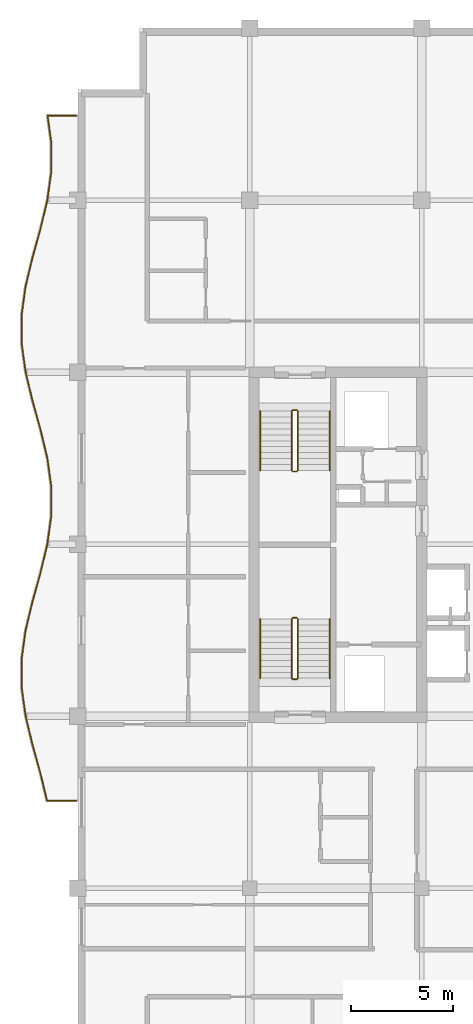
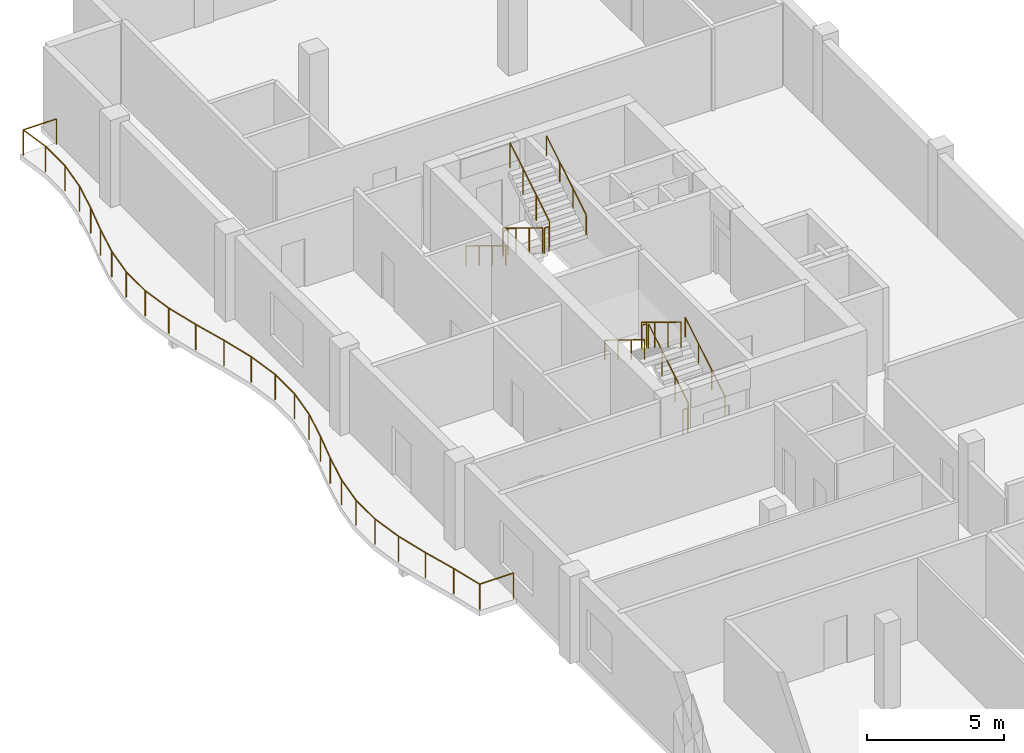
# One storey, part 11 of 11: 13 railings.
"""IFC4 building model written with IfcOpenShell, lengths in metres."""

from ifc_helpers import new_model, si_unit, direction, frame, origin, origin_2d, place, context, subcontext, project, spatial, circle, extrude, material, type_object, element, save


model = new_model("IFC4")

# Units and contexts
model_context = context("Model", 3, precision=1e-05, world=origin(), true_north=direction((0.0, 1.0)))
body_context = subcontext(model_context, "Body", "Model", "MODEL_VIEW")
ifc_project = project(units=[si_unit("LENGTHUNIT", "METRE"), si_unit("AREAUNIT", "SQUARE_METRE"), si_unit("VOLUMEUNIT", "CUBIC_METRE"), si_unit("PLANEANGLEUNIT", "RADIAN"), si_unit("MASSUNIT", "GRAM", prefix="KILO")], contexts=[model_context])

# Site, building, storey
site_placement = place(None, origin())
site = spatial("IfcSite", under=ifc_project, at=site_placement, CompositionType="ELEMENT")
building_placement = place(site_placement, origin())
building = spatial("IfcBuilding", under=site, at=building_placement, Name="Koriwani Terraces Tower", CompositionType="ELEMENT")
storey_placement = place(building_placement, frame((0.0, 0.0, 335.89990234375)))
storey = spatial("IfcBuildingStorey", under=building, at=storey_placement, Name="L83", CompositionType="ELEMENT", Elevation=335.89990234375)

# Railings
ifc_material = material(Name="Steel ASTM A572 Grade 50", Category="steel")
railing_type_1 = type_object("IfcRailingType", Name="GUARD_BALUSTRADE_1150", PredefinedType="BALUSTRADE", material=ifc_material)
railing_1_placement = place(storey_placement, frame((8.320068359375, 37.8798828125, 0.0)))
element("IfcRailing", 1, at=railing_1_placement, inside=storey, type_object=railing_type_1, Name="L83 Balcony Perimeter Safety Balustrade (W)", PredefinedType="BALUSTRADE", context=body_context, shape_type="SweptSolid", body=[
    extrude(circle(Radius=0.02392578125, at=origin_2d()), frame((0.0, 0.0, 1.1259765625), z_axis=(-1.0, 0.0, 0.0), x_axis=(0.0, -1.0, 0.0)), (0.0, 0.0, 1.0), 1.4267578125),
    extrude(circle(Radius=0.02392578125, at=origin_2d()), frame((-1.4267578125, 0.0, 1.1259765625), z_axis=(-0.233480150638, 0.972361568172, 0.0), x_axis=(-0.972361568172, -0.233480150638, 0.0)), (0.0, 0.0, 1.0), 1.378173828125),
    extrude(circle(Radius=0.02392578125, at=origin_2d()), frame((-1.74853515625, 1.340087890625, 1.1259765625), z_axis=(-0.26716718525, 0.963650193341, 0.0), x_axis=(-0.963650193341, -0.26716718525, 0.0)), (0.0, 0.0, 1.0), 1.452880859375),
    extrude(circle(Radius=0.02392578125, at=origin_2d()), frame((-2.13671875, 2.740234375, 1.1259765625), z_axis=(-0.233514568862, 0.972353303141, 0.0), x_axis=(-0.972353303141, -0.233514568862, 0.0)), (0.0, 0.0, 1.0), 1.434326171875),
    extrude(circle(Radius=0.02392578125, at=origin_2d()), frame((-2.4716796875, 4.135009765625, 1.1259765625), z_axis=(-0.137378806302, 0.990518583157, 0.0), x_axis=(-0.990518583157, -0.137378806302, 0.0)), (0.0, 0.0, 1.0), 1.404052734375),
    extrude(circle(Radius=0.02392578125, at=origin_2d()), frame((-2.66455078125, 5.525634765625, 1.1259765625), z_axis=(0.0, 1.0, 0.0), x_axis=(-1.0, 0.0, 0.0)), (0.0, 0.0, 1.0), 1.388916015625),
    extrude(circle(Radius=0.02392578125, at=origin_2d()), frame((-2.66455078125, 6.91455078125, 1.1259765625), z_axis=(0.137378806302, 0.990518583157, 0.0), x_axis=(-0.990518583157, 0.137378806302, 0.0)), (0.0, 0.0, 1.0), 1.404052734375),
    extrude(circle(Radius=0.02392578125, at=origin_2d()), frame((-2.4716796875, 8.30517578125, 1.1259765625), z_axis=(0.23347592966, 0.972362581689, 0.0), x_axis=(-0.972362581689, 0.23347592966, 0.0)), (0.0, 0.0, 1.0), 1.4345703125),
    extrude(circle(Radius=0.02392578125, at=origin_2d()), frame((-2.13671875, 9.7001953125, 1.1259765625), z_axis=(0.267210452187, 0.963638196753, 0.0), x_axis=(-0.963638196753, 0.267210452187, 0.0)), (0.0, 0.0, 1.0), 1.45263671875),
    extrude(circle(Radius=0.02392578125, at=origin_2d()), frame((-1.74853515625, 11.10009765625, 1.1259765625), z_axis=(0.233302667738, 0.972404167631, 0.0), x_axis=(-0.972404167631, 0.233302667738, 0.0)), (0.0, 0.0, 1.0), 1.445068359375),
    extrude(circle(Radius=0.02392578125, at=origin_2d()), frame((-1.411376953125, 12.50537109375, 1.1259765625), z_axis=(0.137287762455, 0.990531206111, 0.0), x_axis=(-0.990531206111, 0.137287762455, 0.0)), (0.0, 0.0, 1.0), 1.422607421875),
    extrude(circle(Radius=0.02392578125, at=origin_2d()), frame((-1.216064453125, 13.91455078125, 1.1259765625), z_axis=(0.0, 1.0, 0.0), x_axis=(-1.0, 0.0, 0.0)), (0.0, 0.0, 1.0), 1.4111328125),
    extrude(circle(Radius=0.02392578125, at=origin_2d()), frame((-1.216064453125, 15.32568359375, 1.1259765625), z_axis=(-0.137287762455, 0.990531206111, 0.0), x_axis=(-0.990531206111, -0.137287762455, 0.0)), (0.0, 0.0, 1.0), 1.422607421875),
    extrude(circle(Radius=0.02392578125, at=origin_2d()), frame((-1.411376953125, 16.73486328125, 1.1259765625), z_axis=(-0.233302667738, 0.972404167631, 0.0), x_axis=(-0.972404167631, -0.233302667738, 0.0)), (0.0, 0.0, 1.0), 1.445068359375),
    extrude(circle(Radius=0.02392578125, at=origin_2d()), frame((-1.74853515625, 18.14013671875, 1.1259765625), z_axis=(-0.267210452187, 0.963638196753, 0.0), x_axis=(-0.963638196753, -0.267210452187, 0.0)), (0.0, 0.0, 1.0), 1.45263671875),
    extrude(circle(Radius=0.02392578125, at=origin_2d()), frame((-2.13671875, 19.5400390625, 1.1259765625), z_axis=(-0.23347592966, 0.972362581689, 0.0), x_axis=(-0.972362581689, -0.23347592966, 0.0)), (0.0, 0.0, 1.0), 1.4345703125),
    extrude(circle(Radius=0.02392578125, at=origin_2d()), frame((-2.4716796875, 20.93505859375, 1.1259765625), z_axis=(-0.137378806302, 0.990518583157, 0.0), x_axis=(-0.990518583157, -0.137378806302, 0.0)), (0.0, 0.0, 1.0), 1.404052734375),
    extrude(circle(Radius=0.02392578125, at=origin_2d()), frame((-2.66455078125, 22.32568359375, 1.1259765625), z_axis=(0.0, 1.0, 0.0), x_axis=(-1.0, 0.0, 0.0)), (0.0, 0.0, 1.0), 1.388916015625),
    extrude(circle(Radius=0.02392578125, at=origin_2d()), frame((-2.66455078125, 23.714599609375, 1.1259765625), z_axis=(0.137378806302, 0.990518583157, 0.0), x_axis=(-0.990518583157, 0.137378806302, 0.0)), (0.0, 0.0, 1.0), 1.404052734375),
    extrude(circle(Radius=0.02392578125, at=origin_2d()), frame((-2.4716796875, 25.105224609375, 1.1259765625), z_axis=(0.233514568862, 0.972353303141, 0.0), x_axis=(-0.972353303141, 0.233514568862, 0.0)), (0.0, 0.0, 1.0), 1.434326171875),
    extrude(circle(Radius=0.02392578125, at=origin_2d()), frame((-2.13671875, 26.5, 1.1259765625), z_axis=(0.26716718525, 0.963650193341, 0.0), x_axis=(-0.963650193341, 0.26716718525, 0.0)), (0.0, 0.0, 1.0), 1.452880859375),
    extrude(circle(Radius=0.02392578125, at=origin_2d()), frame((-1.74853515625, 27.900146484375, 1.1259765625), z_axis=(0.233302667738, 0.972404167631, 0.0), x_axis=(-0.972404167631, 0.233302667738, 0.0)), (0.0, 0.0, 1.0), 1.445068359375),
    extrude(circle(Radius=0.02392578125, at=origin_2d()), frame((-1.411376953125, 29.305419921875, 1.1259765625), z_axis=(0.137287762455, 0.990531206111, 0.0), x_axis=(-0.990531206111, 0.137287762455, 0.0)), (0.0, 0.0, 1.0), 1.422607421875),
    extrude(circle(Radius=0.02392578125, at=origin_2d()), frame((-1.216064453125, 30.714599609375, 1.1259765625), z_axis=(0.0, 1.0, 0.0), x_axis=(-1.0, 0.0, 0.0)), (0.0, 0.0, 1.0), 1.4111328125),
    extrude(circle(Radius=0.02392578125, at=origin_2d()), frame((-1.216064453125, 32.125732421875, 1.1259765625), z_axis=(-0.137066963034, 0.99056178386, 0.0), x_axis=(-0.99056178386, -0.137066963034, 0.0)), (0.0, 0.0, 1.0), 1.326904296875),
    extrude(circle(Radius=0.02392578125, at=origin_2d()), frame((-1.39794921875, 33.440185546875, 1.1259765625), z_axis=(1.0, 0.0, 0.0), x_axis=(0.0, 1.0, 0.0)), (0.0, 0.0, 1.0), 1.39794921875),
    extrude(circle(Radius=0.02099609375, at=origin_2d()), origin(), (0.0, 0.0, 1.0), 1.101806640625),
    extrude(circle(Radius=0.02099609375, at=origin_2d()), frame((-1.4267578125, 0.0, 0.0)), (0.0, 0.0, 1.0), 1.101806640625),
    extrude(circle(Radius=0.02099609375, at=origin_2d()), frame((-1.74853515625, 1.340087890625, 0.0)), (0.0, 0.0, 1.0), 1.101806640625),
    extrude(circle(Radius=0.02099609375, at=origin_2d()), frame((-2.13671875, 2.740234375, 0.0)), (0.0, 0.0, 1.0), 1.101806640625),
    extrude(circle(Radius=0.02099609375, at=origin_2d()), frame((-2.4716796875, 4.135009765625, 0.0)), (0.0, 0.0, 1.0), 1.101806640625),
    extrude(circle(Radius=0.02099609375, at=origin_2d()), frame((-2.66455078125, 5.525634765625, 0.0)), (0.0, 0.0, 1.0), 1.101806640625),
    extrude(circle(Radius=0.02099609375, at=origin_2d()), frame((-2.66455078125, 6.91455078125, 0.0)), (0.0, 0.0, 1.0), 1.101806640625),
    extrude(circle(Radius=0.02099609375, at=origin_2d()), frame((-2.4716796875, 8.30517578125, 0.0)), (0.0, 0.0, 1.0), 1.101806640625),
    extrude(circle(Radius=0.02099609375, at=origin_2d()), frame((-2.13671875, 9.7001953125, 0.0)), (0.0, 0.0, 1.0), 1.101806640625),
    extrude(circle(Radius=0.02099609375, at=origin_2d()), frame((-1.74853515625, 11.10009765625, 0.0)), (0.0, 0.0, 1.0), 1.101806640625),
    extrude(circle(Radius=0.02099609375, at=origin_2d()), frame((-1.411376953125, 12.50537109375, 0.0)), (0.0, 0.0, 1.0), 1.101806640625),
    extrude(circle(Radius=0.02099609375, at=origin_2d()), frame((-1.216064453125, 13.91455078125, 0.0)), (0.0, 0.0, 1.0), 1.101806640625),
    extrude(circle(Radius=0.02099609375, at=origin_2d()), frame((-1.216064453125, 15.32568359375, 0.0)), (0.0, 0.0, 1.0), 1.101806640625),
    extrude(circle(Radius=0.02099609375, at=origin_2d()), frame((-1.411376953125, 16.73486328125, 0.0)), (0.0, 0.0, 1.0), 1.101806640625),
    extrude(circle(Radius=0.02099609375, at=origin_2d()), frame((-1.74853515625, 18.14013671875, 0.0)), (0.0, 0.0, 1.0), 1.101806640625),
    extrude(circle(Radius=0.02099609375, at=origin_2d()), frame((-2.13671875, 19.5400390625, 0.0)), (0.0, 0.0, 1.0), 1.101806640625),
    extrude(circle(Radius=0.02099609375, at=origin_2d()), frame((-2.4716796875, 20.93505859375, 0.0)), (0.0, 0.0, 1.0), 1.101806640625),
    extrude(circle(Radius=0.02099609375, at=origin_2d()), frame((-2.66455078125, 22.32568359375, 0.0)), (0.0, 0.0, 1.0), 1.101806640625),
    extrude(circle(Radius=0.02099609375, at=origin_2d()), frame((-2.66455078125, 23.714599609375, 0.0)), (0.0, 0.0, 1.0), 1.101806640625),
    extrude(circle(Radius=0.02099609375, at=origin_2d()), frame((-2.4716796875, 25.105224609375, 0.0)), (0.0, 0.0, 1.0), 1.101806640625),
    extrude(circle(Radius=0.02099609375, at=origin_2d()), frame((-2.13671875, 26.5, 0.0)), (0.0, 0.0, 1.0), 1.101806640625),
    extrude(circle(Radius=0.02099609375, at=origin_2d()), frame((-1.74853515625, 27.900146484375, 0.0)), (0.0, 0.0, 1.0), 1.101806640625),
    extrude(circle(Radius=0.02099609375, at=origin_2d()), frame((-1.411376953125, 29.305419921875, 0.0)), (0.0, 0.0, 1.0), 1.101806640625),
    extrude(circle(Radius=0.02099609375, at=origin_2d()), frame((-1.216064453125, 30.714599609375, 0.0)), (0.0, 0.0, 1.0), 1.101806640625),
    extrude(circle(Radius=0.02099609375, at=origin_2d()), frame((-1.216064453125, 32.125732421875, 0.0)), (0.0, 0.0, 1.0), 1.101806640625),
    extrude(circle(Radius=0.02099609375, at=origin_2d()), frame((-1.39794921875, 33.440185546875, 0.0)), (0.0, 0.0, 1.0), 1.101806640625),
    extrude(circle(Radius=0.02099609375, at=origin_2d()), frame((0.0, 33.440185546875, 0.0)), (0.0, 0.0, 1.0), 1.101806640625),
])
railing_type_2 = type_object("IfcRailingType", Name="GUARD_STAIR_WELL_1120", PredefinedType="GUARDRAIL", material=ifc_material)
railing_2_placement = place(storey_placement, frame((19.14990234375, 43.85009765625, 0.177490234375)))
element("IfcRailing", 2, at=railing_2_placement, inside=storey, type_object=railing_type_2, Name="L83 ST-W1 stair guard 1", PredefinedType="GUARDRAIL", context=body_context, shape_type="SweptSolid", body=[
    extrude(circle(Radius=0.02392578125, at=origin_2d()), frame((0.0, 0.0, 1.1259765625), z_axis=(0.0, 0.853210801645, 0.521566225858), x_axis=(-1.0, 0.0, 0.0)), (0.0, 0.0, 1.0), 3.39892578125),
    extrude(circle(Radius=0.02099609375, at=origin_2d()), origin(), (0.0, 0.0, 1.0), 1.101806640625),
    extrude(circle(Radius=0.02099609375, at=origin_2d()), frame((0.0, 0.966552734375, 0.5908203125)), (0.0, 0.0, 1.0), 1.101806640625),
    extrude(circle(Radius=0.02099609375, at=origin_2d()), frame((0.0, 1.933349609375, 1.181884765625)), (0.0, 0.0, 1.0), 1.101806640625),
    extrude(circle(Radius=0.02099609375, at=origin_2d()), frame((0.0, 2.89990234375, 1.772705078125)), (0.0, 0.0, 1.0), 1.101806640625),
])
railing_3_placement = place(storey_placement, frame((19.10009765625, 46.800048828125, 1.9501953125)))
element("IfcRailing", 3, at=railing_3_placement, inside=storey, type_object=railing_type_2, Name="L83 ST-W1 stair guard 2", PredefinedType="GUARDRAIL", context=body_context, shape_type="SweptSolid", body=[
    extrude(circle(Radius=0.02392578125, at=origin_2d()), frame((0.0, 0.0, 1.1259765625), z_axis=(-1.0, 0.0, 0.0), x_axis=(0.0, -1.0, 0.0)), (0.0, 0.0, 1.0), 0.2001953125),
    extrude(circle(Radius=0.02099609375, at=origin_2d()), origin(), (0.0, 0.0, 1.0), 1.101806640625),
    extrude(circle(Radius=0.02099609375, at=origin_2d()), frame((-0.2001953125, 0.0, 0.0)), (0.0, 0.0, 1.0), 1.101806640625),
])
railing_4_placement = place(storey_placement, frame((18.85009765625, 46.75, 2.12744140625)))
element("IfcRailing", 4, at=railing_4_placement, inside=storey, type_object=railing_type_2, Name="L83 ST-W1 stair guard 3", PredefinedType="GUARDRAIL", context=body_context, shape_type="SweptSolid", body=[
    extrude(circle(Radius=0.02392578125, at=origin_2d()), frame((0.0, 0.0, 1.1259765625), z_axis=(0.0, -0.853210801645, 0.521566225858), x_axis=(1.0, 0.0, 0.0)), (0.0, 0.0, 1.0), 3.39892578125),
    extrude(circle(Radius=0.02099609375, at=origin_2d()), origin(), (0.0, 0.0, 1.0), 1.101806640625),
    extrude(circle(Radius=0.02099609375, at=origin_2d()), frame((0.0, -0.966552734375, 0.5908203125)), (0.0, 0.0, 1.0), 1.101806640625),
    extrude(circle(Radius=0.02099609375, at=origin_2d()), frame((0.0, -1.933349609375, 1.181884765625)), (0.0, 0.0, 1.0), 1.101806640625),
    extrude(circle(Radius=0.02099609375, at=origin_2d()), frame((0.0, -2.89990234375, 1.772705078125)), (0.0, 0.0, 1.0), 1.101806640625),
])
railing_5_placement = place(storey_placement, frame((19.10009765625, 43.800048828125, 0.0)))
element("IfcRailing", 5, at=railing_5_placement, inside=storey, type_object=railing_type_2, Name="L83 ST-W1 stair guard 4", PredefinedType="GUARDRAIL", context=body_context, shape_type="SweptSolid", body=[
    extrude(circle(Radius=0.02392578125, at=origin_2d()), frame((0.0, 0.0, 1.1259765625), z_axis=(-1.0, 0.0, 0.0), x_axis=(0.0, -1.0, 0.0)), (0.0, 0.0, 1.0), 0.2001953125),
    extrude(circle(Radius=0.02099609375, at=origin_2d()), origin(), (0.0, 0.0, 1.0), 1.101806640625),
    extrude(circle(Radius=0.02099609375, at=origin_2d()), frame((-0.2001953125, 0.0, 0.0)), (0.0, 0.0, 1.0), 1.101806640625),
])
railing_6_placement = place(storey_placement, frame((18.85009765625, 56.89990234375, 0.177490234375)))
element("IfcRailing", 6, at=railing_6_placement, inside=storey, type_object=railing_type_2, Name="L83 ST-W2 stair guard 1", PredefinedType="GUARDRAIL", context=body_context, shape_type="SweptSolid", body=[
    extrude(circle(Radius=0.02392578125, at=origin_2d()), frame((0.0, 0.0, 1.1259765625), z_axis=(0.0, -0.853210801645, 0.521566225858), x_axis=(1.0, 0.0, 0.0)), (0.0, 0.0, 1.0), 3.39892578125),
    extrude(circle(Radius=0.02099609375, at=origin_2d()), origin(), (0.0, 0.0, 1.0), 1.101806640625),
    extrude(circle(Radius=0.02099609375, at=origin_2d()), frame((0.0, -0.966552734375, 0.5908203125)), (0.0, 0.0, 1.0), 1.101806640625),
    extrude(circle(Radius=0.02099609375, at=origin_2d()), frame((0.0, -1.933349609375, 1.181884765625)), (0.0, 0.0, 1.0), 1.101806640625),
    extrude(circle(Radius=0.02099609375, at=origin_2d()), frame((0.0, -2.89990234375, 1.772705078125)), (0.0, 0.0, 1.0), 1.101806640625),
])
railing_7_placement = place(storey_placement, frame((18.89990234375, 53.949951171875, 1.9501953125)))
element("IfcRailing", 7, at=railing_7_placement, inside=storey, type_object=railing_type_2, Name="L83 ST-W2 stair guard 2", PredefinedType="GUARDRAIL", context=body_context, shape_type="SweptSolid", body=[
    extrude(circle(Radius=0.02392578125, at=origin_2d()), frame((0.0, 0.0, 1.1259765625), z_axis=(1.0, 0.0, 0.0), x_axis=(0.0, 1.0, 0.0)), (0.0, 0.0, 1.0), 0.2001953125),
    extrude(circle(Radius=0.02099609375, at=origin_2d()), origin(), (0.0, 0.0, 1.0), 1.101806640625),
    extrude(circle(Radius=0.02099609375, at=origin_2d()), frame((0.2001953125, 0.0, 0.0)), (0.0, 0.0, 1.0), 1.101806640625),
])
railing_8_placement = place(storey_placement, frame((19.14990234375, 54.0, 2.12744140625)))
element("IfcRailing", 8, at=railing_8_placement, inside=storey, type_object=railing_type_2, Name="L83 ST-W2 stair guard 3", PredefinedType="GUARDRAIL", context=body_context, shape_type="SweptSolid", body=[
    extrude(circle(Radius=0.02392578125, at=origin_2d()), frame((0.0, 0.0, 1.1259765625), z_axis=(0.0, 0.853210801645, 0.521566225858), x_axis=(-1.0, 0.0, 0.0)), (0.0, 0.0, 1.0), 3.39892578125),
    extrude(circle(Radius=0.02099609375, at=origin_2d()), origin(), (0.0, 0.0, 1.0), 1.101806640625),
    extrude(circle(Radius=0.02099609375, at=origin_2d()), frame((0.0, 0.966552734375, 0.5908203125)), (0.0, 0.0, 1.0), 1.101806640625),
    extrude(circle(Radius=0.02099609375, at=origin_2d()), frame((0.0, 1.933349609375, 1.181884765625)), (0.0, 0.0, 1.0), 1.101806640625),
    extrude(circle(Radius=0.02099609375, at=origin_2d()), frame((0.0, 2.89990234375, 1.772705078125)), (0.0, 0.0, 1.0), 1.101806640625),
])
railing_9_placement = place(storey_placement, frame((18.89990234375, 56.949951171875, 0.0)))
element("IfcRailing", 9, at=railing_9_placement, inside=storey, type_object=railing_type_2, Name="L83 ST-W2 stair guard 4", PredefinedType="GUARDRAIL", context=body_context, shape_type="SweptSolid", body=[
    extrude(circle(Radius=0.02392578125, at=origin_2d()), frame((0.0, 0.0, 1.1259765625), z_axis=(1.0, 0.0, 0.0), x_axis=(0.0, 1.0, 0.0)), (0.0, 0.0, 1.0), 0.2001953125),
    extrude(circle(Radius=0.02099609375, at=origin_2d()), origin(), (0.0, 0.0, 1.0), 1.101806640625),
    extrude(circle(Radius=0.02099609375, at=origin_2d()), frame((0.2001953125, 0.0, 0.0)), (0.0, 0.0, 1.0), 1.101806640625),
])
railing_type_3 = type_object("IfcRailingType", Name="HANDRAIL_STAIR_920", PredefinedType="HANDRAIL", material=ifc_material)
railing_10_placement = place(storey_placement, frame((20.699951171875, 43.85009765625, 0.177490234375)))
element("IfcRailing", 10, at=railing_10_placement, inside=storey, type_object=railing_type_3, Name="L83 ST-W1 stair handrail 1", PredefinedType="HANDRAIL", context=body_context, shape_type="SweptSolid", body=[
    extrude(circle(Radius=0.02392578125, at=origin_2d()), frame((0.0, 0.0, 0.8759765625), z_axis=(0.0, 0.853210801645, 0.521566225858), x_axis=(-1.0, 0.0, 0.0)), (0.0, 0.0, 1.0), 3.39892578125),
    extrude(circle(Radius=0.02099609375, at=origin_2d()), origin(), (0.0, 0.0, 1.0), 0.851806640625),
    extrude(circle(Radius=0.02099609375, at=origin_2d()), frame((0.0, 0.966552734375, 0.5908203125)), (0.0, 0.0, 1.0), 0.851806640625),
    extrude(circle(Radius=0.02099609375, at=origin_2d()), frame((0.0, 1.933349609375, 1.181884765625)), (0.0, 0.0, 1.0), 0.851806640625),
    extrude(circle(Radius=0.02099609375, at=origin_2d()), frame((0.0, 2.89990234375, 1.772705078125)), (0.0, 0.0, 1.0), 0.851806640625),
])
for number, where, name in (
    (11, (17.300048828125, 46.75, 2.12744140625), "L83 ST-W1 stair handrail 2"),
    (12, (17.300048828125, 56.89990234375, 0.177490234375), "L83 ST-W2 stair handrail 1"),
):
    element("IfcRailing", number, at=place(storey_placement, frame(where)), inside=storey, type_object=railing_type_3, Name=name, PredefinedType="HANDRAIL", context=body_context, shape_type="SweptSolid", body=[
        extrude(circle(Radius=0.02392578125, at=origin_2d()), frame((0.0, 0.0, 0.8759765625), z_axis=(0.0, -0.853210801645, 0.521566225858), x_axis=(1.0, 0.0, 0.0)), (0.0, 0.0, 1.0), 3.39892578125),
        extrude(circle(Radius=0.02099609375, at=origin_2d()), origin(), (0.0, 0.0, 1.0), 0.851806640625),
        extrude(circle(Radius=0.02099609375, at=origin_2d()), frame((0.0, -0.966552734375, 0.5908203125)), (0.0, 0.0, 1.0), 0.851806640625),
        extrude(circle(Radius=0.02099609375, at=origin_2d()), frame((0.0, -1.933349609375, 1.181884765625)), (0.0, 0.0, 1.0), 0.851806640625),
        extrude(circle(Radius=0.02099609375, at=origin_2d()), frame((0.0, -2.89990234375, 1.772705078125)), (0.0, 0.0, 1.0), 0.851806640625),
    ])
railing_11_placement = place(storey_placement, frame((20.699951171875, 54.0, 2.12744140625)))
element("IfcRailing", 13, at=railing_11_placement, inside=storey, type_object=railing_type_3, Name="L83 ST-W2 stair handrail 2", PredefinedType="HANDRAIL", context=body_context, shape_type="SweptSolid", body=[
    extrude(circle(Radius=0.02392578125, at=origin_2d()), frame((0.0, 0.0, 0.8759765625), z_axis=(0.0, 0.853210801645, 0.521566225858), x_axis=(-1.0, 0.0, 0.0)), (0.0, 0.0, 1.0), 3.39892578125),
    extrude(circle(Radius=0.02099609375, at=origin_2d()), origin(), (0.0, 0.0, 1.0), 0.851806640625),
    extrude(circle(Radius=0.02099609375, at=origin_2d()), frame((0.0, 0.966552734375, 0.5908203125)), (0.0, 0.0, 1.0), 0.851806640625),
    extrude(circle(Radius=0.02099609375, at=origin_2d()), frame((0.0, 1.933349609375, 1.181884765625)), (0.0, 0.0, 1.0), 0.851806640625),
    extrude(circle(Radius=0.02099609375, at=origin_2d()), frame((0.0, 2.89990234375, 1.772705078125)), (0.0, 0.0, 1.0), 0.851806640625),
])

save(model, "model.ifc")
